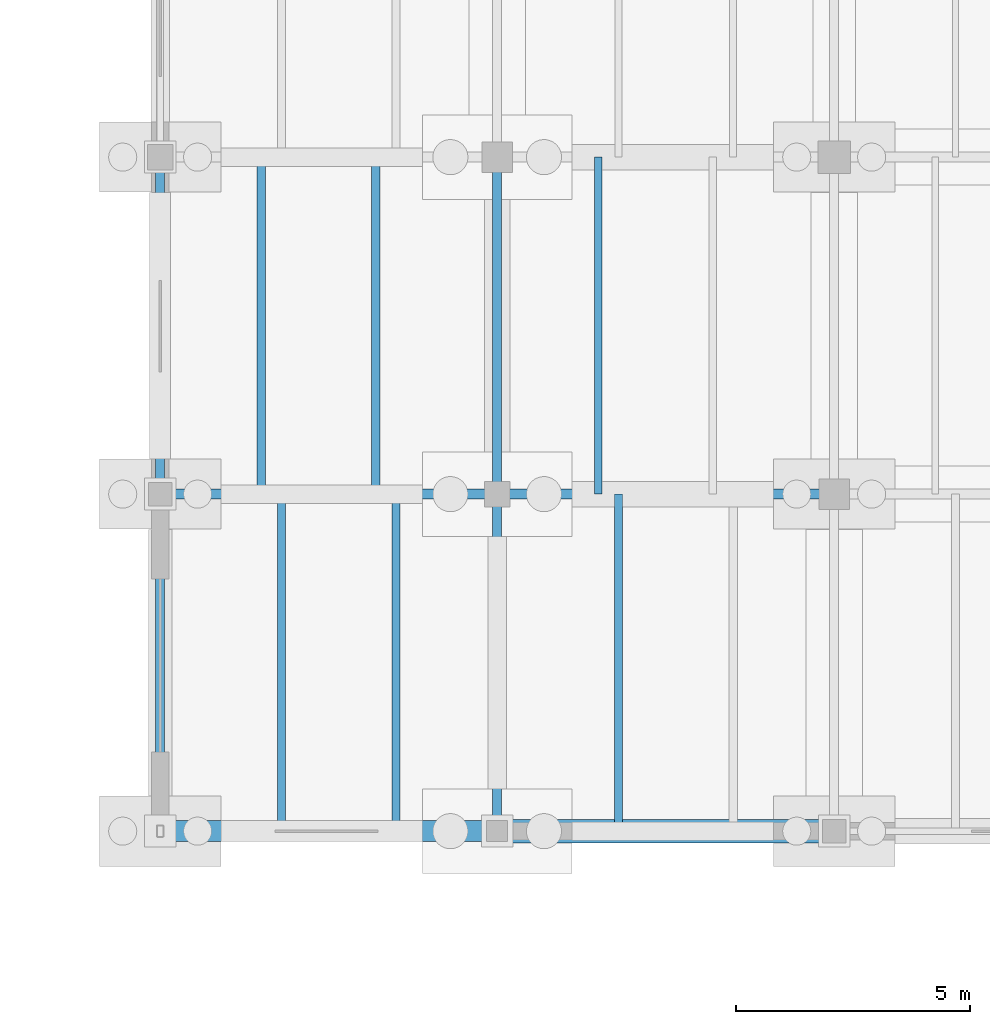
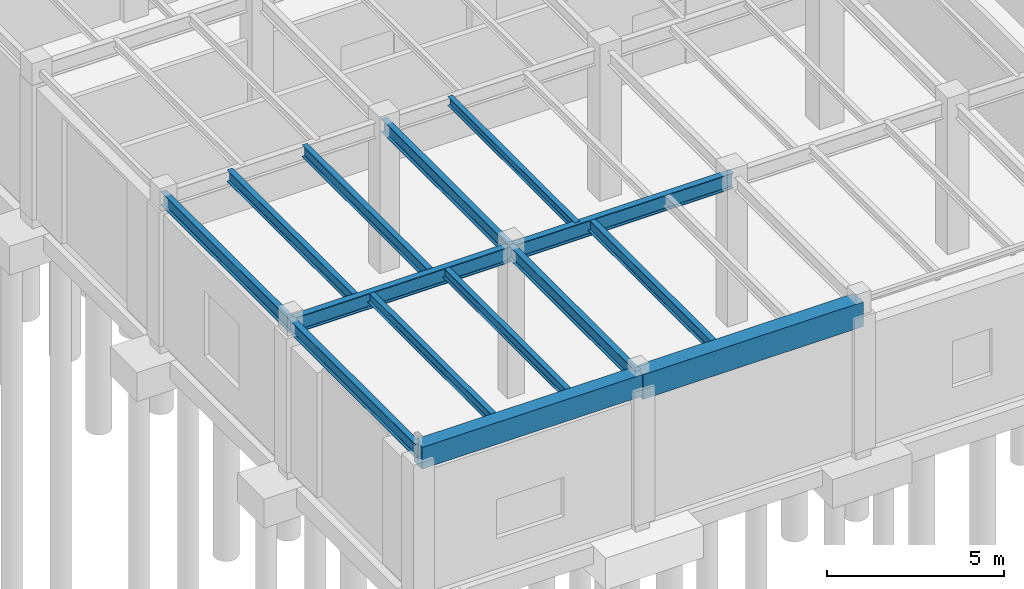
# One storey, part 93 of 293: 14 beams.
"""IFC4 building model written with IfcOpenShell, lengths in metres."""

from ifc_helpers import new_model, si_unit, direction, frame, origin, origin_2d, place, context, subcontext, project, spatial, rectangle, i_section, extrude, material, material_profile, profile_set, type_object, element, save


model = new_model("IFC4")

# Units and contexts
model_context = context("Model", 3, precision=1e-05, world=origin(), true_north=direction((0.0, 1.0)))
body_context = subcontext(model_context, "Body", "Model", "MODEL_VIEW")
ifc_project = project(units=[si_unit("LENGTHUNIT", "METRE"), si_unit("AREAUNIT", "SQUARE_METRE"), si_unit("VOLUMEUNIT", "CUBIC_METRE"), si_unit("PLANEANGLEUNIT", "RADIAN"), si_unit("MASSUNIT", "GRAM", prefix="KILO")], contexts=[model_context])

# Site, building, storey
site_placement = place(None, origin())
site = spatial("IfcSite", under=ifc_project, at=site_placement, CompositionType="ELEMENT")
building_placement = place(site_placement, origin())
building = spatial("IfcBuilding", under=site, at=building_placement, Name="Kemerveld Promenade Tramway Depot", CompositionType="ELEMENT")
storey_placement = place(building_placement, origin())
storey = spatial("IfcBuildingStorey", under=building, at=storey_placement, Name="L00", CompositionType="ELEMENT", Elevation=0.0)

# Beams
ifc_material_1 = material(Name="Steel S355", Category="steel")
ifc_material_profile_1 = material_profile(ifc_material_1, i_section(OverallWidth=0.2099609375, OverallDepth=0.53662109375, WebThickness=0.0107421875, FlangeThickness=0.017333984375, FilletRadius=0.0126953125, at=origin_2d()), Name="533x210x101 UB")
ifc_profile_set_1 = profile_set([ifc_material_profile_1], Name="Steel S355")
beam_type_1 = type_object("IfcBeamType", Name="BM-G05", PredefinedType="BEAM", material=ifc_profile_set_1)
beam_1_placement = place(storey_placement, frame((115.199951171875, 57.60009765625, 4.811767578125), z_axis=(1.0, 0.0, 0.0), x_axis=(0.0, 1.0, 0.0)))
element("IfcBeam", 1, at=beam_1_placement, inside=storey, type_object=beam_type_1, Name="BMX-L00-17-18-J", PredefinedType="BEAM", context=body_context, shape_type="SweptSolid", body=[
    extrude(i_section(OverallWidth=0.2099609375, OverallDepth=0.53662109375, WebThickness=0.0107421875, FlangeThickness=0.017333984375, FilletRadius=0.0126953125, at=origin_2d()), origin(), (0.0, 0.0, 1.0), 7.199951171875),
])
beam_2_placement = place(storey_placement, frame((122.39990234375, 57.60009765625, 4.811767578125), z_axis=(1.0, 0.0, 0.0), x_axis=(0.0, 1.0, 0.0)))
element("IfcBeam", 2, at=beam_2_placement, inside=storey, type_object=beam_type_1, Name="BMX-L00-18-19-J", PredefinedType="BEAM", context=body_context, shape_type="SweptSolid", body=[
    extrude(i_section(OverallWidth=0.2099609375, OverallDepth=0.53662109375, WebThickness=0.0107421875, FlangeThickness=0.017333984375, FilletRadius=0.0126953125, at=origin_2d()), origin(), (0.0, 0.0, 1.0), 7.2001953125),
])
ifc_material_profile_2 = material_profile(ifc_material_1, i_section(OverallWidth=0.19140625, OverallDepth=0.4599609375, WebThickness=0.010009765625, FlangeThickness=0.01611328125, FilletRadius=0.01025390625, at=origin_2d()), Name="457x191x82 UB")
ifc_profile_set_2 = profile_set([ifc_material_profile_2], Name="Steel S355")
beam_type_2 = type_object("IfcBeamType", Name="BM-G06", PredefinedType="BEAM", material=ifc_profile_set_2)
beam_3_placement = place(storey_placement, frame((115.199951171875, 50.39990234375, 4.85009765625), z_axis=(0.0, 1.0, 0.0), x_axis=(-1.0, 0.0, 0.0)))
element("IfcBeam", 3, at=beam_3_placement, inside=storey, type_object=beam_type_2, Name="BMY-L00-17-H-J", PredefinedType="BEAM", context=body_context, shape_type="SweptSolid", body=[
    extrude(i_section(OverallWidth=0.19140625, OverallDepth=0.4599609375, WebThickness=0.010009765625, FlangeThickness=0.01611328125, FilletRadius=0.01025390625, at=origin_2d()), origin(), (0.0, 0.0, 1.0), 7.2001953125),
])
beam_4_placement = place(storey_placement, frame((115.199951171875, 57.60009765625, 4.85009765625), z_axis=(0.0, 1.0, 0.0), x_axis=(-1.0, 0.0, 0.0)))
element("IfcBeam", 4, at=beam_4_placement, inside=storey, type_object=beam_type_2, Name="BMY-L00-17-J-K", PredefinedType="BEAM", context=body_context, shape_type="SweptSolid", body=[
    extrude(i_section(OverallWidth=0.19140625, OverallDepth=0.4599609375, WebThickness=0.010009765625, FlangeThickness=0.01611328125, FilletRadius=0.01025390625, at=origin_2d()), origin(), (0.0, 0.0, 1.0), 7.199951171875),
])
beam_5_placement = place(storey_placement, frame((122.39990234375, 50.39990234375, 4.85009765625), z_axis=(0.0, 1.0, 0.0), x_axis=(-1.0, 0.0, 0.0)))
element("IfcBeam", 5, at=beam_5_placement, inside=storey, type_object=beam_type_2, Name="BMY-L00-18-H-J", PredefinedType="BEAM", context=body_context, shape_type="SweptSolid", body=[
    extrude(i_section(OverallWidth=0.19140625, OverallDepth=0.4599609375, WebThickness=0.010009765625, FlangeThickness=0.01611328125, FilletRadius=0.01025390625, at=origin_2d()), origin(), (0.0, 0.0, 1.0), 7.2001953125),
])
beam_6_placement = place(storey_placement, frame((122.39990234375, 57.60009765625, 4.85009765625), z_axis=(0.0, 1.0, 0.0), x_axis=(-1.0, 0.0, 0.0)))
element("IfcBeam", 6, at=beam_6_placement, inside=storey, type_object=beam_type_2, Name="BMY-L00-18-J-K", PredefinedType="BEAM", context=body_context, shape_type="SweptSolid", body=[
    extrude(i_section(OverallWidth=0.19140625, OverallDepth=0.4599609375, WebThickness=0.010009765625, FlangeThickness=0.01611328125, FilletRadius=0.01025390625, at=origin_2d()), origin(), (0.0, 0.0, 1.0), 7.199951171875),
])
ifc_material_profile_3 = material_profile(ifc_material_1, i_section(OverallWidth=0.165771484375, OverallDepth=0.306640625, WebThickness=0.006591796875, FlangeThickness=0.01171875, FilletRadius=0.0087890625, at=origin_2d()), Name="305x165x46 UB")
ifc_profile_set_3 = profile_set([ifc_material_profile_3], Name="Steel S355")
beam_type_3 = type_object("IfcBeamType", Name="BM-J01", PredefinedType="JOIST", material=ifc_profile_set_3)
beam_7_placement = place(storey_placement, frame((124.56005859375, 57.60009765625, 4.9267578125), z_axis=(0.0, 1.0, 0.0), x_axis=(-1.0, 0.0, 0.0)))
element("IfcBeam", 7, at=beam_7_placement, inside=storey, type_object=beam_type_3, Name="JST-L00-18-J-1", PredefinedType="JOIST", context=body_context, shape_type="SweptSolid", body=[
    extrude(i_section(OverallWidth=0.165771484375, OverallDepth=0.306640625, WebThickness=0.006591796875, FlangeThickness=0.01171875, FilletRadius=0.0087890625, at=origin_2d()), origin(), (0.0, 0.0, 1.0), 7.199951171875),
])
ifc_material_profile_4 = material_profile(ifc_material_1, i_section(OverallWidth=0.172119140625, OverallDepth=0.35791015625, WebThickness=0.008056640625, FlangeThickness=0.012939453125, FilletRadius=0.01025390625, at=origin_2d()), Name="356x171x57 UB")
ifc_profile_set_4 = profile_set([ifc_material_profile_4], Name="Steel S355")
beam_type_4 = type_object("IfcBeamType", Name="BM-J04", PredefinedType="JOIST", material=ifc_profile_set_4)
for number, where, z_axis, x_axis, name in (
    (8, (117.7919921875, 50.39990234375, 4.90087890625), (0.0, 1.0, 0.0), (-1.0, 0.0, 0.0), "JST-L00-17-H-1"),
    (9, (120.239990234375, 50.39990234375, 4.90087890625), (0.0, 1.0, 0.0), (-1.0, 0.0, 0.0), "JST-L00-17-H-2"),
):
    element("IfcBeam", number, at=place(storey_placement, frame(where, z_axis=z_axis, x_axis=x_axis)), inside=storey, type_object=beam_type_4, Name=name, PredefinedType="JOIST", context=body_context, shape_type="SweptSolid", body=[
        extrude(i_section(OverallWidth=0.172119140625, OverallDepth=0.35791015625, WebThickness=0.008056640625, FlangeThickness=0.012939453125, FilletRadius=0.01025390625, at=origin_2d()), origin(), (0.0, 0.0, 1.0), 7.2001953125),
    ])
ifc_material_profile_5 = material_profile(ifc_material_1, i_section(OverallWidth=0.1787109375, OverallDepth=0.409423828125, WebThickness=0.0087890625, FlangeThickness=0.014404296875, FilletRadius=0.01025390625, at=origin_2d()), Name="406x178x67 UB")
ifc_profile_set_5 = profile_set([ifc_material_profile_5], Name="Steel S355")
beam_type_5 = type_object("IfcBeamType", Name="BM-J05", PredefinedType="JOIST", material=ifc_profile_set_5)
for number, where, z_axis, x_axis, name in (
    (10, (117.360107421875, 57.60009765625, 4.875244140625), (0.0, 1.0, 0.0), (-1.0, 0.0, 0.0), "JST-L00-17-J-1"),
    (11, (119.80810546875, 57.60009765625, 4.875244140625), (0.0, 1.0, 0.0), (-1.0, 0.0, 0.0), "JST-L00-17-J-2"),
):
    element("IfcBeam", number, at=place(storey_placement, frame(where, z_axis=z_axis, x_axis=x_axis)), inside=storey, type_object=beam_type_5, Name=name, PredefinedType="JOIST", context=body_context, shape_type="SweptSolid", body=[
        extrude(i_section(OverallWidth=0.1787109375, OverallDepth=0.409423828125, WebThickness=0.0087890625, FlangeThickness=0.014404296875, FilletRadius=0.01025390625, at=origin_2d()), origin(), (0.0, 0.0, 1.0), 7.199951171875),
    ])
beam_8_placement = place(storey_placement, frame((124.991943359375, 50.39990234375, 4.875244140625), z_axis=(0.0, 1.0, 0.0), x_axis=(-1.0, 0.0, 0.0)))
element("IfcBeam", 12, at=beam_8_placement, inside=storey, type_object=beam_type_5, Name="JST-L00-18-H-1", PredefinedType="JOIST", context=body_context, shape_type="SweptSolid", body=[
    extrude(i_section(OverallWidth=0.1787109375, OverallDepth=0.409423828125, WebThickness=0.0087890625, FlangeThickness=0.014404296875, FilletRadius=0.01025390625, at=origin_2d()), origin(), (0.0, 0.0, 1.0), 7.2001953125),
])
ifc_material_2 = material(Name="Concrete C40/50", Category="concrete")
ifc_material_profile_6 = material_profile(ifc_material_2, rectangle(XDim=0.449951171875, YDim=0.75, at=origin_2d()), Name="RC-BM-450x750")
ifc_profile_set_6 = profile_set([ifc_material_profile_6], Name="Concrete C40/50")
beam_type_6 = type_object("IfcBeamType", Name="BM-RC6", PredefinedType="BEAM", material=ifc_profile_set_6)
beam_9_placement = place(storey_placement, frame((115.199951171875, 50.39990234375, 4.705078125), z_axis=(1.0, 0.0, 0.0), x_axis=(0.0, 1.0, 0.0)))
element("IfcBeam", 13, at=beam_9_placement, inside=storey, type_object=beam_type_6, Name="BMX-L00-17-18-H", PredefinedType="BEAM", context=body_context, shape_type="SweptSolid", body=[
    extrude(rectangle(XDim=0.449951171875, YDim=0.75, at=origin_2d()), origin(), (0.0, 0.0, 1.0), 7.199951171875),
])
ifc_material_profile_7 = material_profile(ifc_material_2, rectangle(XDim=0.5, YDim=0.85009765625, at=origin_2d()), Name="RC-BM-500x850")
ifc_profile_set_7 = profile_set([ifc_material_profile_7], Name="Concrete C40/50")
beam_type_7 = type_object("IfcBeamType", Name="BM-RC7", PredefinedType="BEAM", material=ifc_profile_set_7)
beam_10_placement = place(storey_placement, frame((122.39990234375, 50.39990234375, 4.655029296875), z_axis=(1.0, 0.0, 0.0), x_axis=(0.0, 1.0, 0.0)))
element("IfcBeam", 14, at=beam_10_placement, inside=storey, type_object=beam_type_7, Name="BMX-L00-18-19-H", PredefinedType="BEAM", context=body_context, shape_type="SweptSolid", body=[
    extrude(rectangle(XDim=0.5, YDim=0.85009765625, at=origin_2d()), origin(), (0.0, 0.0, 1.0), 7.2001953125),
])

save(model, "model.ifc")
